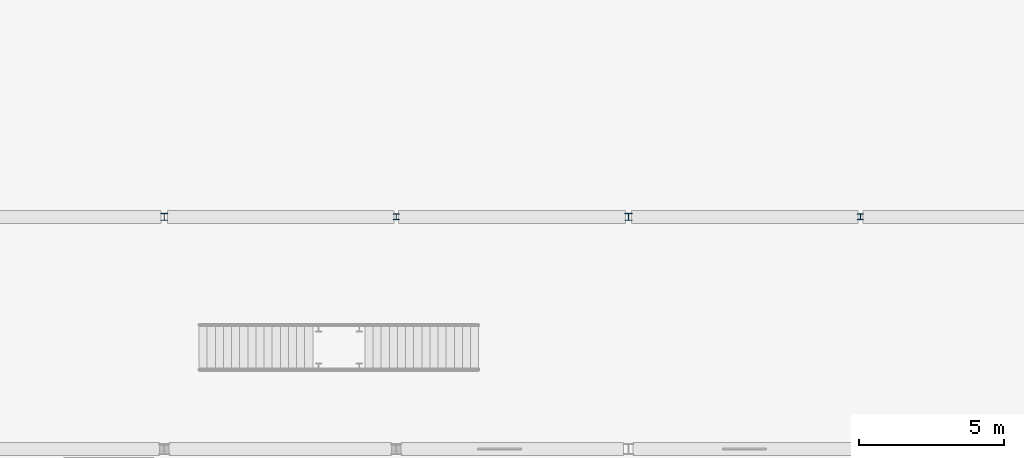
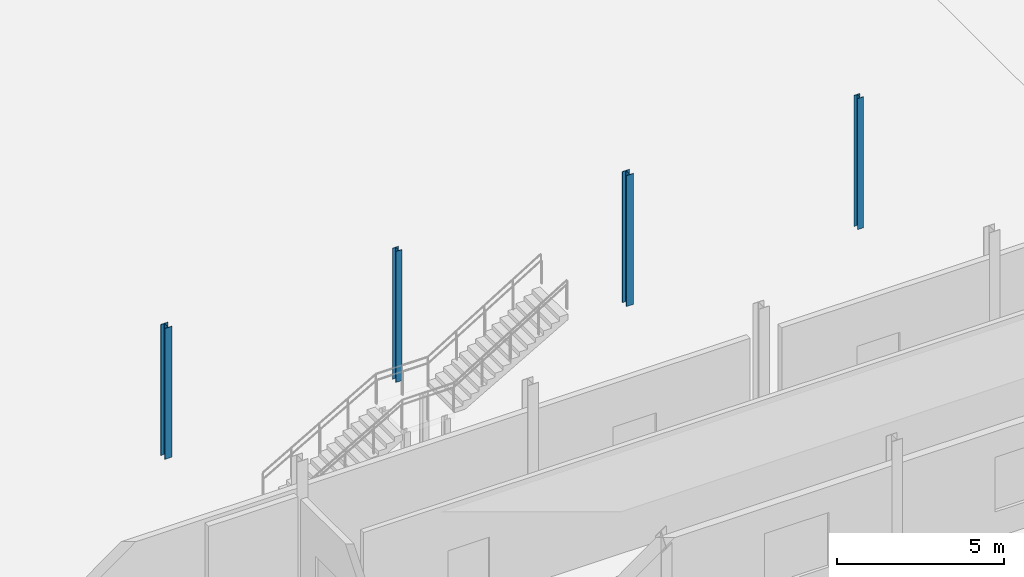
# One storey, part 11 of 117: 4 columns.
"""IFC4 building model written with IfcOpenShell, lengths in metres."""

from ifc_helpers import new_model, si_unit, direction, frame, origin, origin_2d, place, context, subcontext, project, spatial, i_section, extrude, material, material_profile, profile_set, type_object, element, save


model = new_model("IFC4")

# Units and contexts
model_context = context("Model", 3, precision=1e-05, world=origin(), true_north=direction((0.0, 1.0)))
body_context = subcontext(model_context, "Body", "Model", "MODEL_VIEW")
ifc_project = project(units=[si_unit("LENGTHUNIT", "METRE"), si_unit("AREAUNIT", "SQUARE_METRE"), si_unit("VOLUMEUNIT", "CUBIC_METRE"), si_unit("PLANEANGLEUNIT", "RADIAN"), si_unit("MASSUNIT", "GRAM", prefix="KILO")], contexts=[model_context])

# Site, building, storey
site_placement = place(None, origin())
site = spatial("IfcSite", under=ifc_project, at=site_placement, CompositionType="ELEMENT")
building_placement = place(site_placement, origin())
building = spatial("IfcBuilding", under=site, at=building_placement, Name="Jelvoka-Kovrelna Polytechnic", CompositionType="ELEMENT")
storey_placement = place(building_placement, origin())
storey = spatial("IfcBuildingStorey", under=building, at=storey_placement, Name="L01", CompositionType="ELEMENT", Elevation=0.0)

# Columns
ifc_material_1 = material(Name="Structural steel S355JR", Category="steel")
ifc_material_profile_1 = material_profile(ifc_material_1, i_section(OverallWidth=0.205810546875, OverallDepth=0.209716796875, WebThickness=0.009521484375, FlangeThickness=0.01416015625, FilletRadius=0.01025390625, at=origin_2d()), Name="203x203x60 UC")
ifc_profile_set_1 = profile_set([ifc_material_profile_1], Name="Structural steel S355JR")
column_type_1 = type_object("IfcColumnType", Name="Col_Steel_UC203", PredefinedType="COLUMN", material=ifc_profile_set_1)
for number, where, z_axis, x_axis, name in (
    (1, (120.0, 96.0, 0.0), (0.0, 0.0, 1.0), (1.0, 0.0, 0.0), "L01 column 1586"),
    (2, (136.0, 96.0, 0.0), (0.0, 0.0, 1.0), (1.0, 0.0, 0.0), "L01 column 1590"),
):
    element("IfcColumn", number, at=place(storey_placement, frame(where, z_axis=z_axis, x_axis=x_axis)), inside=storey, type_object=column_type_1, Name=name, PredefinedType="COLUMN", context=body_context, shape_type="SweptSolid", body=[
        extrude(i_section(OverallWidth=0.205810546875, OverallDepth=0.209716796875, WebThickness=0.009521484375, FlangeThickness=0.01416015625, FilletRadius=0.01025390625, at=origin_2d()), origin(), (0.0, 0.0, 1.0), 4.800048828125),
    ])
ifc_material_2 = material(Name="Structural steel S355JR", Category="steel")
ifc_material_profile_2 = material_profile(ifc_material_2, i_section(OverallWidth=0.254638671875, OverallDepth=0.254150390625, WebThickness=0.008544921875, FlangeThickness=0.01416015625, FilletRadius=0.0126953125, at=origin_2d()), Name="254x254x73 UC")
ifc_profile_set_2 = profile_set([ifc_material_profile_2], Name="Structural steel S355JR")
column_type_2 = type_object("IfcColumnType", Name="Col_Steel_UC254", PredefinedType="COLUMN", material=ifc_profile_set_2)
for number, where, z_axis, x_axis, name in (
    (3, (112.0, 96.0, 0.0), (0.0, 0.0, 1.0), (1.0, 0.0, 0.0), "L01 column 1584"),
    (4, (128.0, 96.0, 0.0), (0.0, 0.0, 1.0), (1.0, 0.0, 0.0), "L01 column 1588"),
):
    element("IfcColumn", number, at=place(storey_placement, frame(where, z_axis=z_axis, x_axis=x_axis)), inside=storey, type_object=column_type_2, Name=name, PredefinedType="COLUMN", context=body_context, shape_type="SweptSolid", body=[
        extrude(i_section(OverallWidth=0.254638671875, OverallDepth=0.254150390625, WebThickness=0.008544921875, FlangeThickness=0.01416015625, FilletRadius=0.0126953125, at=origin_2d()), origin(), (0.0, 0.0, 1.0), 4.800048828125),
    ])

save(model, "model.ifc")
